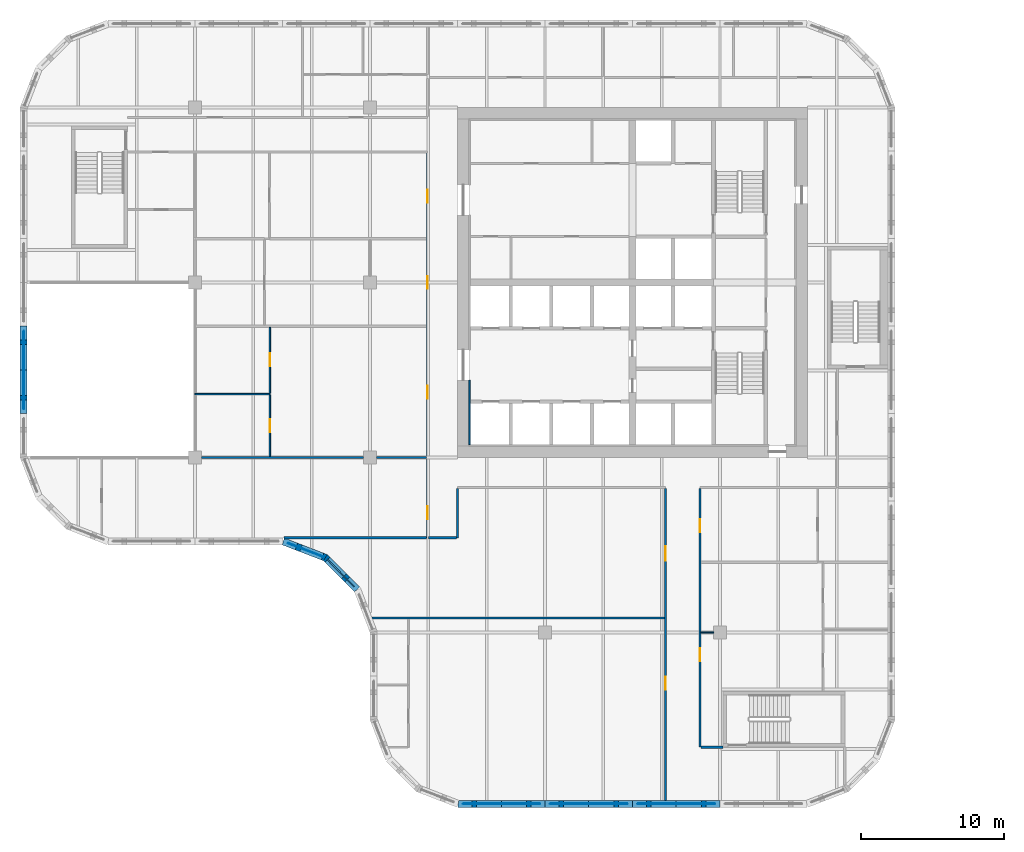
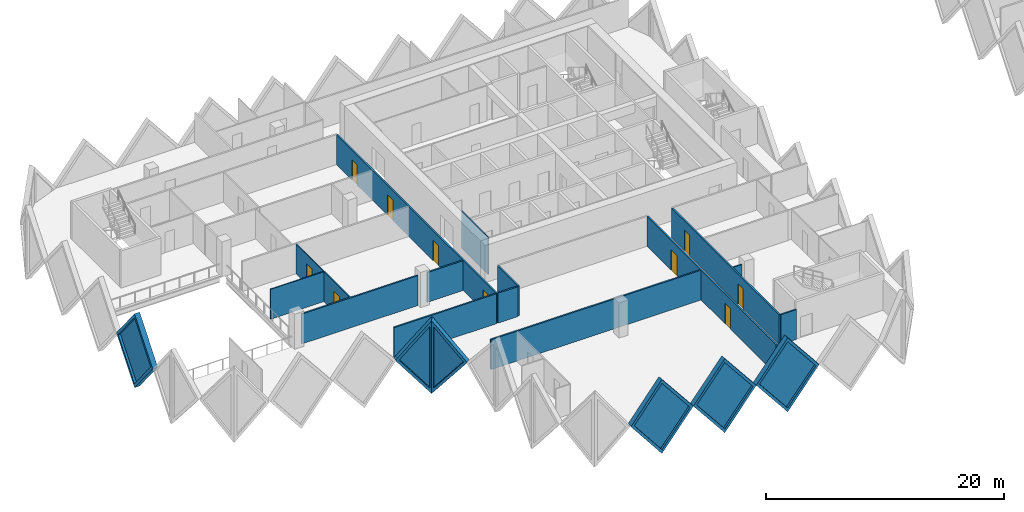
# One storey, part 5 of 19: 21 walls, 10 doors, 6 plates, 16 openings.
"""IFC4 building model written with IfcOpenShell, lengths in metres."""

import ifcopenshell
import ifcopenshell.guid

model = None  # the IFC model being written
_history = None  # IfcOwnerHistory: only IFC2X3 demands one
_inside = {}  # id of a spatial element -> (the spatial element, [elements in it])
_under = {}  # id of a project, library or spatial element -> (it, [spatial elements below it])
_declared = {}  # id of a project -> (the project, [libraries it declares])
_typed = {}  # id of a type object -> (the type object, [elements of that type])
_made_of = {}  # id of a material, layer set ... -> (it, [elements and type objects made of it])


def new_model(schema):
    """Start an empty IFC model of exactly this schema.

    Asked for "IFC4X3", IfcOpenShell would pick the latest addendum, in which some entities
    have other attributes; the version numbers below select the first issue.
    IFC2X3 requires an IfcOwnerHistory on every rooted entity: one is made here for all.
    """
    global model, _history
    if schema == "IFC4X3":
        model = ifcopenshell.file(schema_version=(4, 3, 0, 0))
    else:
        model = ifcopenshell.file(schema=schema)
    _inside.clear()
    _under.clear()
    _declared.clear()
    _typed.clear()
    _made_of.clear()
    _history = None
    if model.schema == "IFC2X3":
        org = make("IfcOrganization", Name="unknown")
        user = make(
            "IfcPersonAndOrganization",
            ThePerson=make("IfcPerson", FamilyName="unknown"),
            TheOrganization=org,
        )
        app = make(
            "IfcApplication",
            ApplicationDeveloper=org,
            Version="unknown",
            ApplicationFullName="unknown",
            ApplicationIdentifier="unknown",
        )
        _history = make(
            "IfcOwnerHistory",
            OwningUser=user,
            OwningApplication=app,
            ChangeAction="ADDED",
            CreationDate=0,
        )
    return model


def make(cls, **values):
    """One entity of the class cls with the attributes given. An attribute that is None is left unset."""
    return model.create_entity(
        cls, **{name: value for name, value in values.items() if value is not None}
    )


def rooted(cls, **values):
    """An entity with a GlobalId (a new one), such as an element, a storey or a relation."""
    return make(cls, GlobalId=ifcopenshell.guid.new(), OwnerHistory=_history, **values)


def si_unit(unit_type, name, prefix=None):
    """IfcSIUnit, for example si_unit("LENGTHUNIT", "METRE", prefix="MILLI")."""
    return make("IfcSIUnit", UnitType=unit_type, Prefix=prefix, Name=name)


def assignment(units):
    """IfcUnitAssignment: the units of a project."""
    return None if units is None else make("IfcUnitAssignment", Units=units)


def point(xyz):
    """IfcCartesianPoint."""
    return None if xyz is None else make("IfcCartesianPoint", Coordinates=xyz)


def direction(xyz):
    """IfcDirection."""
    return None if xyz is None else make("IfcDirection", DirectionRatios=xyz)


def frame(location, z_axis=None, x_axis=None):
    """IfcAxis2Placement3D, a coordinate frame: its origin and axes. An axis left out is left unset."""
    return make(
        "IfcAxis2Placement3D",
        Location=point(location),
        Axis=direction(z_axis),
        RefDirection=direction(x_axis),
    )


def frame_2d(location, x_axis=None):
    """IfcAxis2Placement2D, a coordinate frame in the plane: its origin and x axis."""
    return make(
        "IfcAxis2Placement2D", Location=point(location), RefDirection=direction(x_axis)
    )


def origin():
    """The frame at (0, 0, 0) with its axes left unset."""
    return frame((0.0, 0.0, 0.0))


def place(relative_to, where):
    """IfcLocalPlacement: puts the frame where relative to a parent placement (None: the world)."""
    return make(
        "IfcLocalPlacement", PlacementRelTo=relative_to, RelativePlacement=where
    )


def context(
    kind, dimensions, precision=None, world=None, true_north=None, identifier=None
):
    """IfcGeometricRepresentationContext, for example the 3D "Model" context."""
    return make(
        "IfcGeometricRepresentationContext",
        ContextIdentifier=identifier,
        ContextType=kind,
        CoordinateSpaceDimension=dimensions,
        Precision=precision,
        WorldCoordinateSystem=world,
        TrueNorth=true_north,
    )


def subcontext(parent, identifier, kind, view, scale=None):
    """IfcGeometricRepresentationSubContext, for example "Body" below "Model"."""
    return make(
        "IfcGeometricRepresentationSubContext",
        ContextIdentifier=identifier,
        ContextType=kind,
        ParentContext=parent,
        TargetScale=scale,
        TargetView=view,
    )


def project(units=None, contexts=None):
    """IfcProject with its units and contexts."""
    return rooted(
        "IfcProject",
        Name="project",
        RepresentationContexts=contexts,
        UnitsInContext=assignment(units),
    )


def spatial(cls, under=None, at=None, **own):
    """A site, building, storey or space (cls), placed at a placement, below another one or the project."""
    s = rooted(cls, ObjectPlacement=at, **own)
    if under is not None:
        _under.setdefault(under.id(), (under, []))[1].append(s)
    return s


def polyline(points):
    """IfcPolyline through the points."""
    return make("IfcPolyline", Points=[point(p) for p in points])


def profile(cls, at=None, kind="AREA", **sizes):
    """A parametric profile (cls). Its sizes go by their IFC names, for example OverallWidth=200.0."""
    return make(cls, ProfileType=kind, Position=at, **sizes)


def rectangle(**sizes):
    """IfcRectangleProfileDef."""
    return profile("IfcRectangleProfileDef", **sizes)


def outline(outer, holes=None, kind="AREA"):
    """IfcArbitraryClosedProfileDef: a profile drawn as a closed curve; with holes, ...WithVoids."""
    if holes is None:
        return make("IfcArbitraryClosedProfileDef", ProfileType=kind, OuterCurve=outer)
    return make(
        "IfcArbitraryProfileDefWithVoids",
        ProfileType=kind,
        OuterCurve=outer,
        InnerCurves=holes,
    )


def extrude(swept, where, along, depth):
    """IfcExtrudedAreaSolid: the profile swept, set in the frame where, extruded along a direction by depth."""
    return make(
        "IfcExtrudedAreaSolid",
        SweptArea=swept,
        Position=where,
        ExtrudedDirection=direction(along),
        Depth=depth,
    )


def faces_of(points, faces, orient=None, outer=None):
    """IfcFace entities. A face is a list of loops; a loop is a list of indices into points, from 0.

    orient and outer hold one flag for each loop. By default every Orientation is true, the
    first loop of a face is its IfcFaceOuterBound and the others are IfcFaceBound.
    """
    made = []
    for i, loops in enumerate(faces):
        bounds = []
        for j, loop in enumerate(loops):
            is_outer = j == 0 if outer is None else outer[i][j]
            bounds.append(
                make(
                    "IfcFaceOuterBound" if is_outer else "IfcFaceBound",
                    Bound=make("IfcPolyLoop", Polygon=[points[k] for k in loop]),
                    Orientation=True if orient is None else orient[i][j],
                )
            )
        made.append(make("IfcFace", Bounds=bounds))
    return made


def faceted_brep(points, faces, orient=None, outer=None, voids=None):
    """IfcFacetedBrep: a solid bounded by flat faces; with voids (closed shells), ...WithVoids."""
    shared = [point(p) for p in points]
    hull = make("IfcClosedShell", CfsFaces=faces_of(shared, faces, orient, outer))
    if voids is None:
        return make("IfcFacetedBrep", Outer=hull)
    return make(
        "IfcFacetedBrepWithVoids",
        Outer=hull,
        Voids=[
            make(cls, CfsFaces=faces_of(shared, fs, o, b)) for cls, fs, o, b in voids
        ],
    )


def shape(context_of_items, identifier, shape_type, items):
    """IfcShapeRepresentation: the items that make up one representation, for example the "Body"."""
    return make(
        "IfcShapeRepresentation",
        ContextOfItems=context_of_items,
        RepresentationIdentifier=identifier,
        RepresentationType=shape_type,
        Items=items,
    )


def source(mapping_origin, context_of_items, identifier, shape_type, items):
    """IfcRepresentationMap: a shape defined once, which mapped items show again and again."""
    return make(
        "IfcRepresentationMap",
        MappingOrigin=mapping_origin,
        MappedRepresentation=shape(context_of_items, identifier, shape_type, items),
    )


def transform(
    local_origin,
    x_axis=None,
    y_axis=None,
    z_axis=None,
    scale=None,
    scale2=None,
    scale3=None,
    uniform=True,
):
    """IfcCartesianTransformationOperator3D, or its non-uniform kind. x_axis, y_axis, z_axis: its Axis1, 2, 3."""
    if uniform:
        return make(
            "IfcCartesianTransformationOperator3D",
            Axis1=direction(x_axis),
            Axis2=direction(y_axis),
            LocalOrigin=point(local_origin),
            Scale=scale,
            Axis3=direction(z_axis),
        )
    return make(
        "IfcCartesianTransformationOperator3DnonUniform",
        Axis1=direction(x_axis),
        Axis2=direction(y_axis),
        LocalOrigin=point(local_origin),
        Scale=scale,
        Axis3=direction(z_axis),
        Scale2=scale2,
        Scale3=scale3,
    )


def mapped(mapping_source, mapping_target):
    """IfcMappedItem: shows the shape of a source again, moved by a transform."""
    return make(
        "IfcMappedItem", MappingSource=mapping_source, MappingTarget=mapping_target
    )


def material(Name=None, Category=None):
    """IfcMaterial."""
    return make("IfcMaterial", Name=Name, Category=Category)


def layer(
    of_material, thickness, ventilated=None, Name=None, Category=None, Priority=None
):
    """IfcMaterialLayer: one layer of a wall or slab, of a material (None: an air gap)."""
    return make(
        "IfcMaterialLayer",
        Material=of_material,
        LayerThickness=thickness,
        IsVentilated=ventilated,
        Name=Name,
        Category=Category,
        Priority=Priority,
    )


def layer_set(layers, Name=None):
    """IfcMaterialLayerSet."""
    return make("IfcMaterialLayerSet", MaterialLayers=layers, LayerSetName=Name)


def made_of(thing, what):
    """Note that an element or type object is made of a material, layer set ...; save() writes the relation."""
    if what is not None:
        _made_of.setdefault(what.id(), (what, []))[1].append(thing)
    return thing


def type_object(cls, material=None, **own):
    """A type object (cls), such as IfcWallType, which elements share."""
    return made_of(rooted(cls, **own), material)


def element(
    cls,
    number,
    at=None,
    inside=None,
    cuts=None,
    type_object=None,
    material=None,
    context=None,
    identifier="Body",
    shape_type=None,
    held_by="IfcProductDefinitionShape",
    body=None,
    shapes=None,
    **own,
):
    """One element of the class cls, such as IfcWall. Its Tag is "e" and its number.

    at: its placement. inside: the storey or other place that contains it. cuts: it is an
    opening in that element (IfcRelVoidsElement). A single representation is given by context,
    identifier, shape_type and body (its items); several are given by shapes. held_by: the class
    of the entity that holds the representations. save() writes the other relations.
    """
    e = rooted(cls, Tag="e%d" % number, ObjectPlacement=at, **own)
    if body is not None:
        shapes = [shape(context, identifier, shape_type, body)]
    if shapes is not None:
        e.Representation = make(held_by, Representations=shapes)
    if inside is not None:
        _inside.setdefault(inside.id(), (inside, []))[1].append(e)
    if cuts is not None:
        rooted(
            "IfcRelVoidsElement", RelatingBuildingElement=cuts, RelatedOpeningElement=e
        )
    if type_object is not None:
        _typed.setdefault(type_object.id(), (type_object, []))[1].append(e)
    return made_of(e, material)


def fill(opening, filler):
    """IfcRelFillsElement: the door or window that sits in an opening."""
    return rooted(
        "IfcRelFillsElement",
        RelatingOpeningElement=opening,
        RelatedBuildingElement=filler,
    )


def aggregate(whole, parts):
    """IfcRelAggregates: a whole, such as a stair, and the parts it consists of."""
    return rooted("IfcRelAggregates", RelatingObject=whole, RelatedObjects=parts)


def save(model, path):
    """Write the relations noted so far, then the file.

    IfcRelAggregates (storeys below a building ...), IfcRelContainedInSpatialStructure (elements
    in a storey), IfcRelDefinesByType, IfcRelAssociatesMaterial and IfcRelDeclares: one each for
    every whole, place, type object, material and project.
    """
    for whole, parts in _under.values():
        aggregate(whole, parts)
    for where, things in _inside.values():
        rooted(
            "IfcRelContainedInSpatialStructure",
            RelatedElements=things,
            RelatingStructure=where,
        )
    for kind, things in _typed.values():
        rooted("IfcRelDefinesByType", RelatedObjects=things, RelatingType=kind)
    for what, things in _made_of.values():
        rooted("IfcRelAssociatesMaterial", RelatedObjects=things, RelatingMaterial=what)
    for by, libraries in _declared.values():
        rooted("IfcRelDeclares", RelatingContext=by, RelatedDefinitions=libraries)
    model.write(path)


model = new_model("IFC4")

# Units and contexts
model_context = context("Model", 3, precision=1e-05, world=origin(), true_north=direction((0.0, 1.0)))
body_context = subcontext(model_context, "Body", "Model", "MODEL_VIEW")
ifc_project = project(units=[si_unit("LENGTHUNIT", "METRE"), si_unit("AREAUNIT", "SQUARE_METRE"), si_unit("VOLUMEUNIT", "CUBIC_METRE"), si_unit("PLANEANGLEUNIT", "RADIAN"), si_unit("MASSUNIT", "GRAM", prefix="KILO")], contexts=[model_context])

# Site, building, storey
site_placement = place(None, origin())
site = spatial("IfcSite", under=ifc_project, at=site_placement, CompositionType="ELEMENT")
building_placement = place(site_placement, origin())
building = spatial("IfcBuilding", under=site, at=building_placement, Name="Tessera Gate Towers", CompositionType="ELEMENT")
storey_placement = place(building_placement, frame((0.0, 0.0, 72.39990234375)))
storey = spatial("IfcBuildingStorey", under=building, at=storey_placement, Name="L17", CompositionType="ELEMENT", Elevation=72.39990234375)

# Wall
ifc_material_1 = material(Name="Concrete C60/75", Category="concrete")
ifc_layer_1 = layer(ifc_material_1, 0.10009765625)
ifc_layer_set_1 = layer_set([ifc_layer_1], Name="CORE WALL THICKENING 100")
wall_type_1 = type_object("IfcWallType", Name="CORE WALL THICKENING 100", PredefinedType="SOLIDWALL", material=ifc_layer_set_1)
wall_1_placement = place(storey_placement, frame((31.35009765625, 25.300048828125, 0.0), z_axis=(0.0, 0.0, 1.0), x_axis=(0.0, 1.0, 0.0)))
element("IfcWall", 1, at=wall_1_placement, inside=storey, type_object=wall_type_1, Name="Core wall thickening W L17", PredefinedType="SOLIDWALL", context=body_context, shape_type="SweptSolid", body=[
    extrude(rectangle(XDim=4.5, YDim=0.10009765625, at=frame_2d((2.25, 0.0))), origin(), (0.0, 0.0, 1.0), 3.800048828125),
])

# Wall, openings, doors
ifc_material_2 = material(Name="Gypsum board on steel studs, mineral wool", Category="steel")
ifc_layer_2 = layer(ifc_material_2, 0.14990234375)
ifc_layer_set_2 = layer_set([ifc_layer_2], Name="CORRIDOR WALL 150")
wall_type_2 = type_object("IfcWallType", Name="CORRIDOR WALL 150", PredefinedType="PARTITIONING", material=ifc_layer_set_2)
wall_2_placement = place(storey_placement, frame((45.0, 0.5, 0.0), z_axis=(0.0, 0.0, 1.0), x_axis=(0.0, 1.0, 0.0)))
wall_2 = element("IfcWall", 2, at=wall_2_placement, inside=storey, type_object=wall_type_2, Name="T1-L17-PW-001", PredefinedType="PARTITIONING", context=body_context, shape_type="SweptSolid", body=[
    extrude(rectangle(XDim=21.72412109375, YDim=0.14990234375, at=frame_2d((10.862060546875, 0.0))), origin(), (0.0, 0.0, 1.0), 3.067138671875),
])
shared_shape_1 = source(origin(), body_context, "Body", "SweptSolid", [
    extrude(rectangle(XDim=0.89990234375, YDim=2.10009765625, at=frame_2d((0.449951171875, 1.050048828125))), frame((0.0, 0.0849609375, 0.0), z_axis=(0.0, -1.0, 0.0), x_axis=(1.0, 0.0, 0.0)), (0.0, 0.0, 1.0), 0.169921875),
])
opening_1_placement = place(wall_2_placement, frame((7.699951171875, 0.0, 0.0)))
opening_1 = element("IfcOpeningElement", 3, at=opening_1_placement, cuts=wall_2, Name="Opening D890FD60-A06-07", PredefinedType="OPENING", context=body_context, shape_type="MappedRepresentation", body=[
    mapped(shared_shape_1, transform((0.0, 0.0, 0.0), scale=1.0)),
])
shared_shape_2 = source(origin(), body_context, "Body", "SweptSolid", [
    extrude(rectangle(XDim=1.0, YDim=2.10009765625, at=frame_2d((0.5, 1.050048828125))), frame((0.0, 0.0849609375, 0.0), z_axis=(0.0, -1.0, 0.0), x_axis=(1.0, 0.0, 0.0)), (0.0, 0.0, 1.0), 0.169921875),
])
opening_2_placement = place(wall_2_placement, frame((16.699951171875, 0.0, 0.0)))
opening_2 = element("IfcOpeningElement", 4, at=opening_2_placement, cuts=wall_2, Name="Opening D2100FD60-A06-02", PredefinedType="OPENING", context=body_context, shape_type="MappedRepresentation", body=[
    mapped(shared_shape_2, transform((0.0, 0.0, 0.0), scale=1.0)),
])
ifc_material_3 = material(Name="Timber door leaf in steel frame", Category="steel")
door_type_1 = type_object("IfcDoorType", Name="CORRIDOR DOOR 900 FD60", OperationType="NOTDEFINED", PredefinedType="DOOR", material=ifc_material_3)
shared_shape_3 = source(origin(), body_context, "Body", "SweptSolid", [
    extrude(rectangle(XDim=0.89990234375, YDim=2.10009765625, at=frame_2d((0.449951171875, 1.050048828125))), frame((0.0, 0.02490234375, 0.0), z_axis=(0.0, -1.0, 0.0), x_axis=(1.0, 0.0, 0.0)), (0.0, 0.0, 1.0), 0.050048828125),
])
door_1_placement = place(opening_1_placement, origin())
door_1 = element("IfcDoor", 5, at=door_1_placement, inside=storey, type_object=door_type_1, Name="T1-L17-PD-021", OperationType="SINGLE_SWING_LEFT", OverallHeight=2.10009765625, OverallWidth=0.89990234375, PredefinedType="DOOR", context=body_context, shape_type="MappedRepresentation", body=[
    mapped(shared_shape_3, transform((0.0, 0.0, 0.0), scale=1.0)),
])
fill(opening_1, door_1)
ifc_material_4 = material(Name="Timber door leaf in steel frame", Category="steel")
door_type_2 = type_object("IfcDoorType", Name="TENANCY ENTRANCE DOOR 1000 FD60", OperationType="NOTDEFINED", PredefinedType="DOOR", material=ifc_material_4)
shared_shape_4 = source(origin(), body_context, "Body", "SweptSolid", [
    extrude(rectangle(XDim=1.0, YDim=2.10009765625, at=frame_2d((0.5, 1.050048828125))), frame((0.0, 0.02490234375, 0.0), z_axis=(0.0, -1.0, 0.0), x_axis=(1.0, 0.0, 0.0)), (0.0, 0.0, 1.0), 0.050048828125),
])
door_2_placement = place(opening_2_placement, origin())
door_2 = element("IfcDoor", 6, at=door_2_placement, inside=storey, type_object=door_type_2, Name="T1-L17-PD-022", OperationType="SINGLE_SWING_LEFT", OverallHeight=2.10009765625, OverallWidth=1.0, PredefinedType="DOOR", context=body_context, shape_type="MappedRepresentation", body=[
    mapped(shared_shape_4, transform((0.0, 0.0, 0.0), scale=1.0)),
])
fill(opening_2, door_2)

wall_3_placement = place(storey_placement, frame((47.39990234375, 22.22412109375, 0.0), z_axis=(0.0, 0.0, 1.0), x_axis=(0.0, -1.0, 0.0)))
wall_3 = element("IfcWall", 7, at=wall_3_placement, inside=storey, type_object=wall_type_2, Name="T1-L17-PW-005", PredefinedType="PARTITIONING", context=body_context, shape_type="SweptSolid", body=[
    extrude(rectangle(XDim=18.024169921875, YDim=0.14990234375, at=frame_2d((9.01220703125, 0.0))), origin(), (0.0, 0.0, 1.0), 3.067138671875),
])
opening_3_placement = place(wall_3_placement, frame((2.123046875, 0.0, 0.0)))
opening_3 = element("IfcOpeningElement", 8, at=opening_3_placement, cuts=wall_3, Name="Opening D890FD60-A06-02", PredefinedType="OPENING", context=body_context, shape_type="MappedRepresentation", body=[
    mapped(shared_shape_1, transform((0.0, 0.0, 0.0), scale=1.0)),
])
opening_4_placement = place(wall_3_placement, frame((11.1240234375, 0.0, 0.0)))
opening_4 = element("IfcOpeningElement", 9, at=opening_4_placement, cuts=wall_3, Name="Opening D890FD60-A06-12", PredefinedType="OPENING", context=body_context, shape_type="MappedRepresentation", body=[
    mapped(shared_shape_1, transform((0.0, 0.0, 0.0), scale=1.0)),
])
door_3_placement = place(opening_3_placement, origin())
door_3 = element("IfcDoor", 10, at=door_3_placement, inside=storey, type_object=door_type_1, Name="T1-L17-PD-012", OperationType="SINGLE_SWING_RIGHT", OverallHeight=2.10009765625, OverallWidth=0.89990234375, PredefinedType="DOOR", context=body_context, shape_type="MappedRepresentation", body=[
    mapped(shared_shape_3, transform((0.0, 0.0, 0.0), scale=1.0)),
])
fill(opening_3, door_3)
door_4_placement = place(opening_4_placement, origin())
door_4 = element("IfcDoor", 11, at=door_4_placement, inside=storey, type_object=door_type_1, Name="T1-L17-PD-028", OperationType="SINGLE_SWING_RIGHT", OverallHeight=2.10009765625, OverallWidth=0.89990234375, PredefinedType="DOOR", context=body_context, shape_type="MappedRepresentation", body=[
    mapped(shared_shape_3, transform((0.0, 0.0, 0.0), scale=1.0)),
])
fill(opening_4, door_4)

# Wall
wall_4_placement = place(storey_placement, frame((47.47607421875, 4.199951171875, 0.0), z_axis=(0.0, 0.0, 1.0), x_axis=(1.0, 0.0, 0.0)))
element("IfcWall", 12, at=wall_4_placement, inside=storey, type_object=wall_type_2, Name="T1-L17-PW-006", PredefinedType="PARTITIONING", context=body_context, shape_type="SweptSolid", body=[
    extrude(rectangle(XDim=1.52392578125, YDim=0.14990234375, at=frame_2d((0.761962890625, 0.0))), origin(), (0.0, 0.0, 1.0), 3.067138671875),
])

# Wall, openings, doors
wall_5_placement = place(storey_placement, frame((28.39990234375, 18.800048828125, 0.0), z_axis=(0.0, 0.0, 1.0), x_axis=(0.0, 1.0, 0.0)))
wall_5 = element("IfcWall", 13, at=wall_5_placement, inside=storey, type_object=wall_type_2, Name="T1-L17-PW-018", PredefinedType="PARTITIONING", context=body_context, shape_type="SweptSolid", body=[
    extrude(rectangle(XDim=26.823974609375, YDim=0.14990234375, at=frame_2d((13.412109375, 0.0))), origin(), (0.0, 0.0, 1.0), 3.067138671875),
])
opening_5_placement = place(wall_5_placement, frame((1.300048828125, 0.0, 0.0)))
opening_5 = element("IfcOpeningElement", 14, at=opening_5_placement, cuts=wall_5, Name="Opening D890FD60-A06-01", PredefinedType="OPENING", context=body_context, shape_type="MappedRepresentation", body=[
    mapped(shared_shape_1, transform((0.0, 0.0, 0.0), scale=1.0)),
])
opening_6_placement = place(wall_5_placement, frame((23.35107421875, 0.0, 0.0)))
opening_6 = element("IfcOpeningElement", 15, at=opening_6_placement, cuts=wall_5, Name="Opening D890FD60-A06-03", PredefinedType="OPENING", context=body_context, shape_type="MappedRepresentation", body=[
    mapped(shared_shape_1, transform((0.0, 0.0, 0.0), scale=1.0)),
])
opening_7_placement = place(wall_5_placement, frame((17.35107421875, 0.0, 0.0)))
opening_7 = element("IfcOpeningElement", 16, at=opening_7_placement, cuts=wall_5, Name="Opening D890FD60-A06-04", PredefinedType="OPENING", context=body_context, shape_type="MappedRepresentation", body=[
    mapped(shared_shape_1, transform((0.0, 0.0, 0.0), scale=1.0)),
])
opening_8_placement = place(wall_5_placement, frame((9.699951171875, 0.0, 0.0)))
opening_8 = element("IfcOpeningElement", 17, at=opening_8_placement, cuts=wall_5, Name="Opening D890FD60-A06-09", PredefinedType="OPENING", context=body_context, shape_type="MappedRepresentation", body=[
    mapped(shared_shape_1, transform((0.0, 0.0, 0.0), scale=1.0)),
])
door_5_placement = place(opening_5_placement, origin())
door_5 = element("IfcDoor", 18, at=door_5_placement, inside=storey, type_object=door_type_1, Name="T1-L17-PD-001", OperationType="SINGLE_SWING_LEFT", OverallHeight=2.10009765625, OverallWidth=0.89990234375, PredefinedType="DOOR", context=body_context, shape_type="MappedRepresentation", body=[
    mapped(shared_shape_3, transform((0.0, 0.0, 0.0), scale=1.0)),
])
fill(opening_5, door_5)
door_6_placement = place(opening_6_placement, origin())
door_6 = element("IfcDoor", 19, at=door_6_placement, inside=storey, type_object=door_type_1, Name="T1-L17-PD-017", OperationType="SINGLE_SWING_LEFT", OverallHeight=2.10009765625, OverallWidth=0.89990234375, PredefinedType="DOOR", context=body_context, shape_type="MappedRepresentation", body=[
    mapped(shared_shape_3, transform((0.0, 0.0, 0.0), scale=1.0)),
])
fill(opening_6, door_6)
door_7_placement = place(opening_7_placement, origin())
door_7 = element("IfcDoor", 20, at=door_7_placement, inside=storey, type_object=door_type_1, Name="T1-L17-PD-018", OperationType="SINGLE_SWING_LEFT", OverallHeight=2.10009765625, OverallWidth=0.89990234375, PredefinedType="DOOR", context=body_context, shape_type="MappedRepresentation", body=[
    mapped(shared_shape_3, transform((0.0, 0.0, 0.0), scale=1.0)),
])
fill(opening_7, door_7)
door_8_placement = place(opening_8_placement, origin())
door_8 = element("IfcDoor", 21, at=door_8_placement, inside=storey, type_object=door_type_1, Name="T1-L17-PD-024", OperationType="SINGLE_SWING_LEFT", OverallHeight=2.10009765625, OverallWidth=0.89990234375, PredefinedType="DOOR", context=body_context, shape_type="MappedRepresentation", body=[
    mapped(shared_shape_3, transform((0.0, 0.0, 0.0), scale=1.0)),
])
fill(opening_8, door_8)

# Walls
wall_6_placement = place(storey_placement, frame((28.47607421875, 18.800048828125, 0.0), z_axis=(0.0, 0.0, 1.0), x_axis=(1.0, 0.0, 0.0)))
element("IfcWall", 22, at=wall_6_placement, inside=storey, type_object=wall_type_2, Name="T1-L17-PW-019", PredefinedType="PARTITIONING", context=body_context, shape_type="SweptSolid", body=[
    extrude(rectangle(XDim=1.947998046875, YDim=0.14990234375, at=frame_2d((0.97412109375, 0.0))), origin(), (0.0, 0.0, 1.0), 3.067138671875),
])
wall_7_placement = place(storey_placement, frame((30.5, 18.800048828125, 0.0), z_axis=(0.0, 0.0, 1.0), x_axis=(0.0, 1.0, 0.0)))
element("IfcWall", 23, at=wall_7_placement, inside=storey, type_object=wall_type_2, Name="T1-L17-PW-020", PredefinedType="PARTITIONING", context=body_context, shape_type="SweptSolid", body=[
    extrude(rectangle(XDim=3.424072265625, YDim=0.14990234375, at=frame_2d((1.7119140625, 0.0))), origin(), (0.0, 0.0, 1.0), 3.067138671875),
])
ifc_material_5 = material(Name="Gypsum board on steel studs", Category="steel")
ifc_layer_3 = layer(ifc_material_5, 0.10009765625)
ifc_layer_set_3 = layer_set([ifc_layer_3], Name="PARTITION 100")
wall_type_3 = type_object("IfcWallType", Name="PARTITION 100", PredefinedType="PARTITIONING", material=ifc_layer_set_3)
wall_8_placement = place(storey_placement, frame((48.35009765625, 12.199951171875, 0.0), z_axis=(0.0, 0.0, 1.0), x_axis=(-1.0, 0.0, 0.0)))
element("IfcWall", 24, at=wall_8_placement, inside=storey, type_object=wall_type_3, Name="T1-L17-PW-009", PredefinedType="PARTITIONING", context=body_context, shape_type="SweptSolid", body=[
    extrude(rectangle(XDim=0.875, YDim=0.10009765625, at=frame_2d((0.4375, 0.0))), origin(), (0.0, 0.0, 1.0), 3.067138671875),
])

# Wall, opening, door
wall_9_placement = place(storey_placement, frame((17.425048828125, 24.47607421875, 0.0), z_axis=(0.0, 0.0, 1.0), x_axis=(0.0, 1.0, 0.0)))
wall_9 = element("IfcWall", 25, at=wall_9_placement, inside=storey, type_object=wall_type_3, Name="T1-L17-PW-028", PredefinedType="PARTITIONING", context=body_context, shape_type="SweptSolid", body=[
    extrude(rectangle(XDim=4.293212890625, YDim=0.10009765625, at=frame_2d((2.146484375, 0.0))), origin(), (0.0, 0.0, 1.0), 3.067138671875),
])
shared_shape_5 = source(origin(), body_context, "Body", "SweptSolid", [
    extrude(rectangle(XDim=0.89990234375, YDim=2.10009765625, at=frame_2d((0.449951171875, 1.050048828125))), frame((0.0, 0.06005859375, 0.0), z_axis=(0.0, -1.0, 0.0), x_axis=(1.0, 0.0, 0.0)), (0.0, 0.0, 1.0), 0.1201171875),
])
opening_9_placement = place(wall_9_placement, frame((1.699951171875, 0.0, 0.0)))
opening_9 = element("IfcOpeningElement", 26, at=opening_9_placement, cuts=wall_9, Name="Opening D190-A06-02", PredefinedType="OPENING", context=body_context, shape_type="MappedRepresentation", body=[
    mapped(shared_shape_5, transform((0.0, 0.0, 0.0), scale=1.0)),
])
ifc_material_6 = material(Name="Timber door leaf in steel frame", Category="steel")
door_type_3 = type_object("IfcDoorType", Name="INTERNAL DOOR 900 NOT RATED", OperationType="NOTDEFINED", PredefinedType="DOOR", material=ifc_material_6)
door_9_placement = place(opening_9_placement, origin())
door_9 = element("IfcDoor", 27, at=door_9_placement, inside=storey, type_object=door_type_3, Name="T1-L17-PD-003", OperationType="SINGLE_SWING_LEFT", OverallHeight=2.10009765625, OverallWidth=0.89990234375, PredefinedType="DOOR", context=body_context, shape_type="MappedRepresentation", body=[
    mapped(shared_shape_3, transform((0.0, 0.0, 0.0), scale=1.0)),
])
fill(opening_9, door_9)

# Wall
wall_10_placement = place(storey_placement, frame((12.199951171875, 28.820068359375, 0.0), z_axis=(0.0, 0.0, 1.0), x_axis=(1.0, 0.0, 0.0)))
element("IfcWall", 28, at=wall_10_placement, inside=storey, type_object=wall_type_3, Name="T1-L17-PW-029", PredefinedType="PARTITIONING", context=body_context, shape_type="SweptSolid", body=[
    extrude(rectangle(XDim=5.22509765625, YDim=0.10009765625, at=frame_2d((2.612548828125, 0.0))), origin(), (0.0, 0.0, 1.0), 3.067138671875),
])

# Wall, opening, door
wall_11_placement = place(storey_placement, frame((17.425048828125, 28.871337890625, 0.0), z_axis=(0.0, 0.0, 1.0), x_axis=(0.0, 1.0, 0.0)))
wall_11 = element("IfcWall", 29, at=wall_11_placement, inside=storey, type_object=wall_type_3, Name="T1-L17-PW-030", PredefinedType="PARTITIONING", context=body_context, shape_type="SweptSolid", body=[
    extrude(rectangle(XDim=4.602783203125, YDim=0.10009765625, at=frame_2d((2.30126953125, 0.0))), origin(), (0.0, 0.0, 1.0), 3.067138671875),
])
opening_10_placement = place(wall_11_placement, frame((1.89990234375, 0.0, 0.0)))
opening_10 = element("IfcOpeningElement", 30, at=opening_10_placement, cuts=wall_11, Name="Opening D190-A06-05", PredefinedType="OPENING", context=body_context, shape_type="MappedRepresentation", body=[
    mapped(shared_shape_5, transform((0.0, 0.0, 0.0), scale=1.0)),
])
door_10_placement = place(opening_10_placement, origin())
door_10 = element("IfcDoor", 31, at=door_10_placement, inside=storey, type_object=door_type_3, Name="T1-L17-PD-008", OperationType="SINGLE_SWING_LEFT", OverallHeight=2.10009765625, OverallWidth=0.89990234375, PredefinedType="DOOR", context=body_context, shape_type="MappedRepresentation", body=[
    mapped(shared_shape_3, transform((0.0, 0.0, 0.0), scale=1.0)),
])
fill(opening_10, door_10)

# Walls
ifc_material_7 = material(Name="Gypsum board on steel studs, mineral wool", Category="steel")
ifc_layer_4 = layer(ifc_material_7, 0.14990234375)
ifc_layer_set_4 = layer_set([ifc_layer_4], Name="TENANCY WALL 150")
wall_type_4 = type_object("IfcWallType", Name="TENANCY WALL 150", PredefinedType="PARTITIONING", material=ifc_layer_set_4)
wall_12_placement = place(storey_placement, frame((24.55029296875, 13.199951171875, 0.0), z_axis=(0.0, 0.0, 1.0), x_axis=(1.0, 0.0, 0.0)))
element("IfcWall", 32, at=wall_12_placement, inside=storey, type_object=wall_type_4, Name="T1-L17-PW-012", PredefinedType="PARTITIONING", context=body_context, shape_type="SweptSolid", body=[
    extrude(rectangle(XDim=20.373779296875, YDim=0.14990234375, at=frame_2d((10.18701171875, 0.0))), origin(), (0.0, 0.0, 1.0), 3.067138671875),
])
wall_13_placement = place(storey_placement, frame((18.39306640625, 18.800048828125, 0.0), z_axis=(0.0, 0.0, 1.0), x_axis=(1.0, 0.0, 0.0)))
element("IfcWall", 33, at=wall_13_placement, inside=storey, type_object=wall_type_4, Name="T1-L17-PW-017", PredefinedType="PARTITIONING", context=body_context, shape_type="SweptSolid", body=[
    extrude(rectangle(XDim=9.930908203125, YDim=0.14990234375, at=frame_2d((4.96533203125, 0.0))), origin(), (0.0, 0.0, 1.0), 3.067138671875),
])
wall_14_placement = place(storey_placement, frame((12.65087890625, 24.39990234375, 0.0), z_axis=(0.0, 0.0, 1.0), x_axis=(1.0, 0.0, 0.0)))
element("IfcWall", 34, at=wall_14_placement, inside=storey, type_object=wall_type_4, Name="T1-L17-PW-026", PredefinedType="PARTITIONING", context=body_context, shape_type="SweptSolid", body=[
    extrude(rectangle(XDim=11.298095703125, YDim=0.14990234375, at=frame_2d((5.64892578125, 0.0))), origin(), (0.0, 0.0, 1.0), 3.067138671875),
])
wall_15_placement = place(storey_placement, frame((24.85107421875, 24.39990234375, 0.0), z_axis=(0.0, 0.0, 1.0), x_axis=(1.0, 0.0, 0.0)))
element("IfcWall", 35, at=wall_15_placement, inside=storey, type_object=wall_type_4, Name="T1-L17-PW-027", PredefinedType="PARTITIONING", context=body_context, shape_type="SweptSolid", body=[
    extrude(rectangle(XDim=3.472900390625, YDim=0.14990234375, at=frame_2d((1.736328125, 0.0))), origin(), (0.0, 0.0, 1.0), 3.067138671875),
])

# Wall, opening, plate
ifc_material_8 = material(Name="Precast concrete C60/75 white", Category="concrete")
ifc_layer_5 = layer(ifc_material_8, 0.5)
ifc_layer_set_5 = layer_set([ifc_layer_5], Name="TS1 tessera")
wall_type_5 = type_object("IfcWallType", Name="TS1 tessera", PredefinedType="SOLIDWALL", material=ifc_layer_set_5)
shared_shape_6 = source(origin(), body_context, "Body", "Brep", [
    faceted_brep([(3.050048828125, -0.25, 0.0), (6.099853515625, -0.25, 3.799560546875), (6.099853515625, -0.25, 3.800048828125), (3.050048828125, -0.25, 7.599853515625), (0.0, -0.25, 3.7998046875), (0.0, 0.25, 3.7998046875), (3.050048828125, 0.25, 7.599853515625), (6.099853515625, 0.25, 3.800048828125), (6.099853515625, 0.25, 3.799560546875), (3.050048828125, 0.25, 0.0)], [[[0, 1, 2, 3, 4]], [[5, 6, 7, 8, 9]], [[9, 8, 1, 0]], [[7, 6, 3, 2]], [[6, 5, 4, 3]], [[5, 9, 0, 4]], [[1, 8, 7, 2]]]),
])
wall_16_placement = place(storey_placement, frame((36.60009765625, 0.25, -3.7998046875), z_axis=(0.0, 0.0, 1.0), x_axis=(1.0, 0.0, 0.0)))
wall_16 = element("IfcWall", 36, at=wall_16_placement, inside=storey, type_object=wall_type_5, Name="Precast tessera T1 TS1-0231", PredefinedType="SOLIDWALL", context=body_context, shape_type="MappedRepresentation", body=[
    mapped(shared_shape_6, transform((0.0, 0.0, 0.0), scale=1.0)),
])
shared_shape_7 = source(origin(), body_context, "Body", "SweptSolid", [
    extrude(outline(polyline([(3.050048828125, 0.3994140625), (5.779541015625, 3.7998046875), (3.050048828125, 7.200439453125), (0.320556640625, 3.7998046875), (3.050048828125, 0.3994140625)])), frame((0.0, 0.260009765625, 0.0), z_axis=(0.0, -1.0, 0.0), x_axis=(1.0, 0.0, 0.0)), (0.0, 0.0, 1.0), 0.52001953125),
])
opening_11_placement = place(wall_16_placement, origin())
opening_11 = element("IfcOpeningElement", 37, at=opening_11_placement, cuts=wall_16, Name="Opening T1-PL2-0471", PredefinedType="OPENING", context=body_context, shape_type="MappedRepresentation", body=[
    mapped(shared_shape_7, transform((0.0, 0.0, 0.0), scale=1.0)),
])
ifc_material_9 = material(Name="Low-e laminated glass", Category="glass")
ifc_layer_6 = layer(ifc_material_9, 0.06005859375)
ifc_layer_set_6 = layer_set([ifc_layer_6], Name="PL2 rhombic pane")
plate_type = type_object("IfcPlateType", Name="PL2 rhombic pane", PredefinedType="SHEET", material=ifc_layer_set_6)
shared_shape_8 = source(origin(), body_context, "Body", "SweptSolid", [
    extrude(outline(polyline([(3.050048828125, 0.3994140625), (5.779541015625, 3.7998046875), (3.050048828125, 7.200439453125), (0.320556640625, 3.7998046875), (3.050048828125, 0.3994140625)])), frame((0.0, 0.030029296875, 0.0), z_axis=(0.0, -1.0, 0.0), x_axis=(1.0, 0.0, 0.0)), (0.0, 0.0, 1.0), 0.06005859375),
])
plate_1_placement = place(opening_11_placement, origin())
plate_1 = element("IfcPlate", 38, at=plate_1_placement, inside=storey, type_object=plate_type, Name="Glass pane T1 PL2-0471", PredefinedType="SHEET", context=body_context, shape_type="MappedRepresentation", body=[
    mapped(shared_shape_8, transform((0.0, 0.0, 0.0), scale=1.0)),
])
fill(opening_11, plate_1)

shared_shape_9 = source(origin(), body_context, "Body", "SweptSolid", [
    extrude(outline(polyline([(3.050048828125, 0.0), (6.10009765625, 3.7998046875), (3.050048828125, 7.599853515625), (0.0, 3.7998046875), (3.050048828125, 0.0)])), frame((0.0, 0.25, 0.0), z_axis=(0.0, -1.0, 0.0), x_axis=(1.0, 0.0, 0.0)), (0.0, 0.0, 1.0), 0.5),
])
wall_17_placement = place(storey_placement, frame((42.699951171875, 0.25, -3.7998046875), z_axis=(0.0, 0.0, 1.0), x_axis=(1.0, 0.0, 0.0)))
wall_17 = element("IfcWall", 39, at=wall_17_placement, inside=storey, type_object=wall_type_5, Name="Precast tessera T1 TS1-0232", PredefinedType="SOLIDWALL", context=body_context, shape_type="MappedRepresentation", body=[
    mapped(shared_shape_9, transform((0.0, 0.0, 0.0), scale=1.0)),
])
opening_12_placement = place(wall_17_placement, origin())
opening_12 = element("IfcOpeningElement", 40, at=opening_12_placement, cuts=wall_17, Name="Opening T1-PL2-0472", PredefinedType="OPENING", context=body_context, shape_type="MappedRepresentation", body=[
    mapped(shared_shape_7, transform((0.0, 0.0, 0.0), scale=1.0)),
])
plate_2_placement = place(opening_12_placement, origin())
plate_2 = element("IfcPlate", 41, at=plate_2_placement, inside=storey, type_object=plate_type, Name="Glass pane T1 PL2-0472", PredefinedType="SHEET", context=body_context, shape_type="MappedRepresentation", body=[
    mapped(shared_shape_8, transform((0.0, 0.0, 0.0), scale=1.0)),
])
fill(opening_12, plate_2)

wall_18_placement = place(storey_placement, frame((0.25, 33.550048828125, -3.7998046875), z_axis=(0.0, 0.0, 1.0), x_axis=(0.0, -1.0, 0.0)))
wall_18 = element("IfcWall", 42, at=wall_18_placement, inside=storey, type_object=wall_type_5, Name="Precast tessera T1 TS1-0250", PredefinedType="SOLIDWALL", context=body_context, shape_type="MappedRepresentation", body=[
    mapped(shared_shape_9, transform((0.0, 0.0, 0.0), scale=1.0)),
])
opening_13_placement = place(wall_18_placement, origin())
opening_13 = element("IfcOpeningElement", 43, at=opening_13_placement, cuts=wall_18, Name="Opening T1-PL2-0502", PredefinedType="OPENING", context=body_context, shape_type="MappedRepresentation", body=[
    mapped(shared_shape_7, transform((0.0, 0.0, 0.0), scale=1.0)),
])
plate_3_placement = place(opening_13_placement, origin())
plate_3 = element("IfcPlate", 44, at=plate_3_placement, inside=storey, type_object=plate_type, Name="Glass pane T1 PL2-0502", PredefinedType="SHEET", context=body_context, shape_type="MappedRepresentation", body=[
    mapped(shared_shape_8, transform((0.0, 0.0, 0.0), scale=1.0)),
])
fill(opening_13, plate_3)

shared_shape_10 = source(origin(), body_context, "Body", "Brep", [
    faceted_brep([(3.00341796875, -0.25, 0.0), (6.053466796875, -0.25, 3.7998046875), (3.00341796875, -0.25, 7.599853515625), (0.0, -0.25, 3.7998046875), (0.046630859375, 0.25, 3.858642578125), (3.00341796875, 0.25, 7.599853515625), (6.053466796875, 0.25, 3.7998046875), (3.00341796875, 0.25, 0.0), (0.046630859375, 0.25, 3.740966796875), (0.0, 0.0, 3.7998046875)], [[[0, 1, 2, 3]], [[4, 5, 6, 7, 8]], [[7, 6, 1, 0]], [[6, 5, 2, 1]], [[5, 4, 9, 3, 2]], [[8, 7, 0, 3, 9]], [[8, 9, 4]]]),
])
wall_19_placement = place(storey_placement, frame((30.546630859375, 0.25, -3.7998046875), z_axis=(0.0, 0.0, 1.0), x_axis=(1.0, 0.0, 0.0)))
wall_19 = element("IfcWall", 45, at=wall_19_placement, inside=storey, type_object=wall_type_5, Name="Precast tessera T1 TS1-0230", PredefinedType="SOLIDWALL", context=body_context, shape_type="MappedRepresentation", body=[
    mapped(shared_shape_10, transform((0.0, 0.0, 0.0), scale=1.0)),
])
shared_shape_11 = source(origin(), body_context, "Body", "SweptSolid", [
    extrude(outline(polyline([(3.0048828125, 0.401123046875), (5.73291015625, 3.7998046875), (3.0048828125, 7.19873046875), (0.318603515625, 3.7998046875), (3.0048828125, 0.401123046875)])), frame((0.0, 0.260009765625, 0.0), z_axis=(0.0, -1.0, 0.0), x_axis=(1.0, 0.0, 0.0)), (0.0, 0.0, 1.0), 0.52001953125),
])
opening_14_placement = place(wall_19_placement, origin())
opening_14 = element("IfcOpeningElement", 46, at=opening_14_placement, cuts=wall_19, Name="Opening T1-PL2-0470", PredefinedType="OPENING", context=body_context, shape_type="MappedRepresentation", body=[
    mapped(shared_shape_11, transform((0.0, 0.0, 0.0), scale=1.0)),
])
shared_shape_12 = source(origin(), body_context, "Body", "SweptSolid", [
    extrude(outline(polyline([(3.0048828125, 0.401123046875), (5.73291015625, 3.7998046875), (3.0048828125, 7.19873046875), (0.318603515625, 3.7998046875), (3.0048828125, 0.401123046875)])), frame((0.0, 0.030029296875, 0.0), z_axis=(0.0, -1.0, 0.0), x_axis=(1.0, 0.0, 0.0)), (0.0, 0.0, 1.0), 0.06005859375),
])
plate_4_placement = place(opening_14_placement, origin())
plate_4 = element("IfcPlate", 47, at=plate_4_placement, inside=storey, type_object=plate_type, Name="Glass pane T1 PL2-0470", PredefinedType="SHEET", context=body_context, shape_type="MappedRepresentation", body=[
    mapped(shared_shape_12, transform((0.0, 0.0, 0.0), scale=1.0)),
])
fill(opening_14, plate_4)

ifc_material_10 = material(Name="Precast concrete C60/75 white", Category="concrete")
ifc_layer_7 = layer(ifc_material_10, 0.5)
ifc_layer_set_7 = layer_set([ifc_layer_7], Name="TS3 corner tessera")
wall_type_6 = type_object("IfcWallType", Name="TS3 corner tessera", PredefinedType="SOLIDWALL", material=ifc_layer_set_7)
shared_shape_13 = source(origin(), body_context, "Body", "Brep", [
    faceted_brep([(3.096435546875, -0.25, 7.5361328125), (0.046630859375, -0.25, 3.85595703125), (0.046630859375, -0.25, 3.74365234375), (3.096435546875, -0.25, 0.063720703125), (0.0, 0.25, 3.7998046875), (3.1494140625, 0.25, 7.599853515625), (3.202392578125, 0.25, 7.5361328125), (3.202392578125, 0.25, 0.063720703125), (3.1494140625, 0.25, 0.0), (3.1494140625, -0.000244140625, 0.0), (3.1494140625, -0.000244140625, 7.599853515625), (0.0, 0.0, 3.7998046875)], [[[0, 1, 2, 3]], [[4, 5, 6, 7, 8]], [[8, 7, 9]], [[6, 5, 10]], [[5, 4, 11, 1, 0, 10]], [[4, 8, 9, 3, 2, 11]], [[11, 2, 1]], [[3, 9, 7, 6, 10, 0]]]),
])
wall_20_placement = place(storey_placement, frame((18.346435546875, 18.550048828125, -3.7998046875), z_axis=(0.0, 0.0, 1.0), x_axis=(0.932985567668, -0.359913782069, 0.0)))
wall_20 = element("IfcWall", 48, at=wall_20_placement, inside=storey, type_object=wall_type_6, Name="Precast corner tessera T1 TS3-0377", PredefinedType="SOLIDWALL", context=body_context, shape_type="MappedRepresentation", body=[
    mapped(shared_shape_13, transform((0.0, 0.0, 0.0), scale=1.0)),
])
shared_shape_14 = source(origin(), body_context, "Body", "SweptSolid", [
    extrude(outline(polyline([(2.949462890625, 6.966796875), (0.32470703125, 3.7998046875), (2.949462890625, 0.633056640625), (2.949462890625, 6.966796875)])), frame((0.0, 0.260009765625, 0.0), z_axis=(0.0, -1.0, 0.0), x_axis=(1.0, 0.0, 0.0)), (0.0, 0.0, 1.0), 0.52001953125),
])
opening_15_placement = place(wall_20_placement, origin())
opening_15 = element("IfcOpeningElement", 49, at=opening_15_placement, cuts=wall_20, Name="Opening T1-PL2-0509", PredefinedType="OPENING", context=body_context, shape_type="MappedRepresentation", body=[
    mapped(shared_shape_14, transform((0.0, 0.0, 0.0), scale=1.0)),
])
shared_shape_15 = source(origin(), body_context, "Body", "SweptSolid", [
    extrude(outline(polyline([(2.949462890625, 6.966796875), (0.32470703125, 3.7998046875), (2.949462890625, 0.633056640625), (2.949462890625, 6.966796875)])), frame((0.0, 0.030029296875, 0.0), z_axis=(0.0, -1.0, 0.0), x_axis=(1.0, 0.0, 0.0)), (0.0, 0.0, 1.0), 0.06005859375),
])
plate_5_placement = place(opening_15_placement, origin())
plate_5 = element("IfcPlate", 50, at=plate_5_placement, inside=storey, type_object=plate_type, Name="Glass pane T1 PL2-0509", PredefinedType="SHEET", context=body_context, shape_type="MappedRepresentation", body=[
    mapped(shared_shape_15, transform((0.0, 0.0, 0.0), scale=1.0)),
])
fill(opening_15, plate_5)

shared_shape_16 = source(origin(), body_context, "Body", "Brep", [
    faceted_brep([(0.10595703125, -0.25, 0.063720703125), (3.156005859375, -0.25, 3.736083984375), (3.156005859375, -0.25, 3.863525390625), (0.10595703125, -0.25, 7.5361328125), (0.0, 0.25, 7.535888671875), (0.052978515625, 0.25, 7.599853515625), (3.208740234375, 0.25, 3.7998046875), (0.052978515625, 0.25, 0.0), (0.0, 0.25, 0.06396484375), (3.208740234375, -0.00048828125, 3.7998046875), (0.052978515625, 0.0, 0.0), (0.052978515625, 0.0, 7.599853515625)], [[[0, 1, 2, 3]], [[4, 5, 6, 7, 8]], [[7, 6, 9, 1, 0, 10]], [[6, 5, 11, 3, 2, 9]], [[5, 4, 11]], [[8, 7, 10]], [[8, 10, 0, 3, 11, 4]], [[1, 9, 2]]]),
])
wall_21_placement = place(storey_placement, frame((21.24755859375, 17.453857421875, -3.7998046875), z_axis=(0.0, 0.0, 1.0), x_axis=(0.707106781187, -0.707106781187, 0.0)))
wall_21 = element("IfcWall", 51, at=wall_21_placement, inside=storey, type_object=wall_type_6, Name="Precast corner tessera T1 TS3-0378", PredefinedType="SOLIDWALL", context=body_context, shape_type="MappedRepresentation", body=[
    mapped(shared_shape_16, transform((0.0, 0.0, 0.0), scale=1.0)),
])
shared_shape_17 = source(origin(), body_context, "Body", "SweptSolid", [
    extrude(outline(polyline([(0.2529296875, 0.632080078125), (2.8837890625, 3.7998046875), (0.2529296875, 6.9677734375), (0.2529296875, 0.632080078125)])), frame((0.0, 0.260009765625, 0.0), z_axis=(0.0, -1.0, 0.0), x_axis=(1.0, 0.0, 0.0)), (0.0, 0.0, 1.0), 0.52001953125),
])
opening_16_placement = place(wall_21_placement, origin())
opening_16 = element("IfcOpeningElement", 52, at=opening_16_placement, cuts=wall_21, Name="Opening T1-PL2-0510", PredefinedType="OPENING", context=body_context, shape_type="MappedRepresentation", body=[
    mapped(shared_shape_17, transform((0.0, 0.0, 0.0), scale=1.0)),
])
shared_shape_18 = source(origin(), body_context, "Body", "SweptSolid", [
    extrude(outline(polyline([(0.2529296875, 0.632080078125), (2.8837890625, 3.7998046875), (0.2529296875, 6.9677734375), (0.2529296875, 0.632080078125)])), frame((0.0, 0.030029296875, 0.0), z_axis=(0.0, -1.0, 0.0), x_axis=(1.0, 0.0, 0.0)), (0.0, 0.0, 1.0), 0.06005859375),
])
plate_6_placement = place(opening_16_placement, origin())
plate_6 = element("IfcPlate", 53, at=plate_6_placement, inside=storey, type_object=plate_type, Name="Glass pane T1 PL2-0510", PredefinedType="SHEET", context=body_context, shape_type="MappedRepresentation", body=[
    mapped(shared_shape_18, transform((0.0, 0.0, 0.0), scale=1.0)),
])
fill(opening_16, plate_6)

save(model, "model.ifc")
